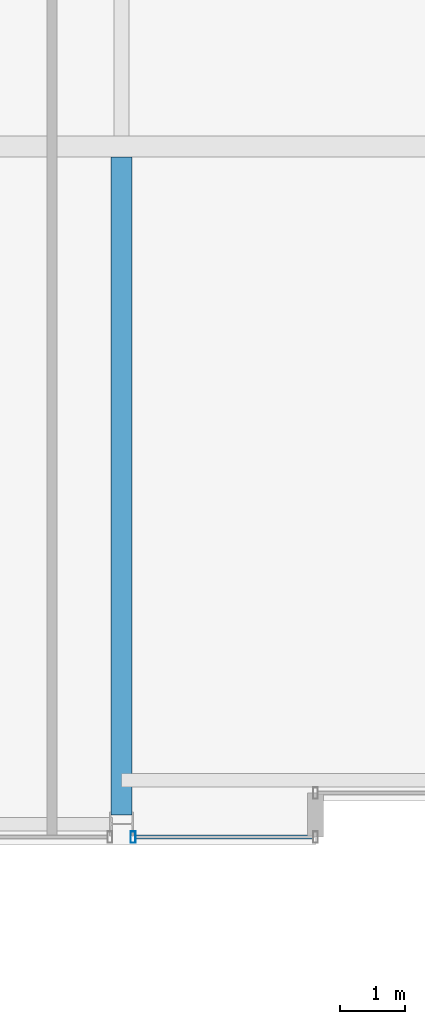
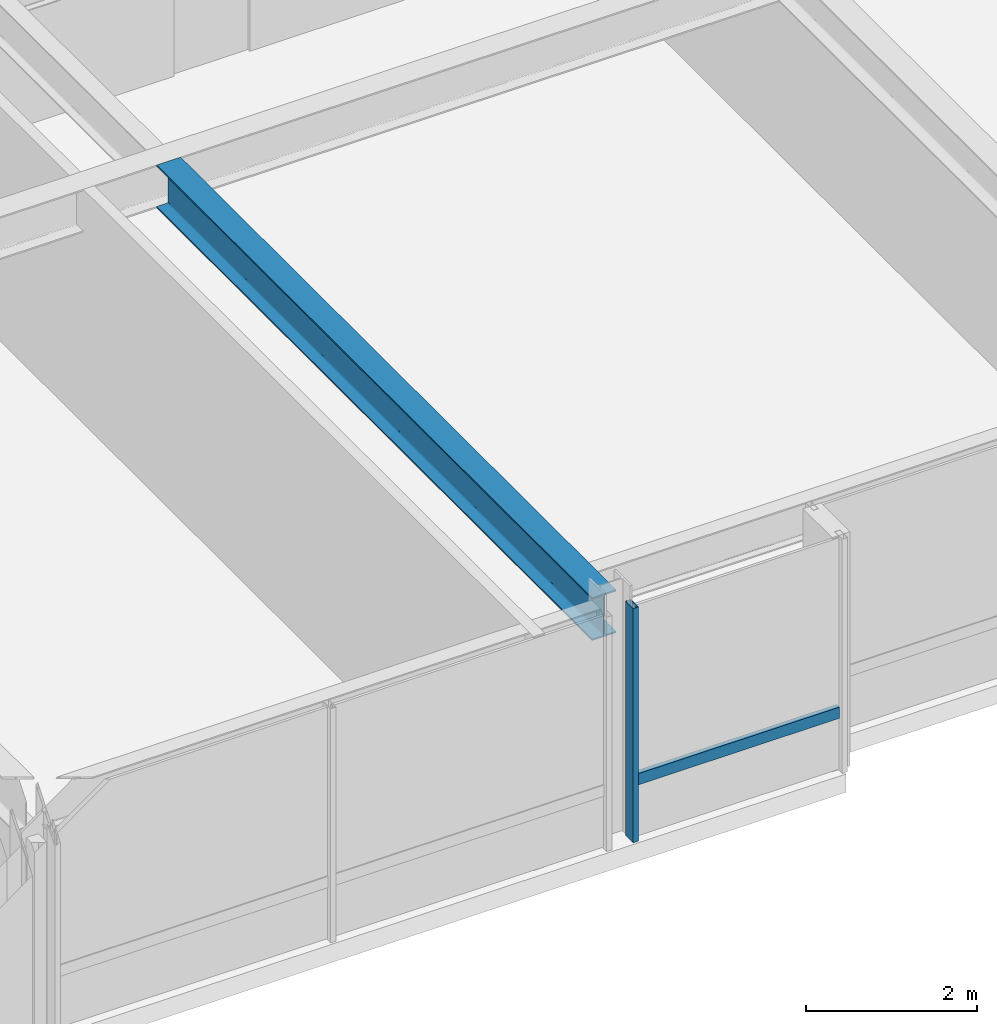
# One storey, part 4 of 32: 2 members, 1 beam, 1 element without a shape of its own.
"""IFC4 building model written with IfcOpenShell, lengths in metres."""

import ifcopenshell
import ifcopenshell.guid

model = None  # the IFC model being written
_history = None  # IfcOwnerHistory: only IFC2X3 demands one
_inside = {}  # id of a spatial element -> (the spatial element, [elements in it])
_under = {}  # id of a project, library or spatial element -> (it, [spatial elements below it])
_declared = {}  # id of a project -> (the project, [libraries it declares])
_typed = {}  # id of a type object -> (the type object, [elements of that type])
_made_of = {}  # id of a material, layer set ... -> (it, [elements and type objects made of it])


def new_model(schema):
    """Start an empty IFC model of exactly this schema.

    Asked for "IFC4X3", IfcOpenShell would pick the latest addendum, in which some entities
    have other attributes; the version numbers below select the first issue.
    IFC2X3 requires an IfcOwnerHistory on every rooted entity: one is made here for all.
    """
    global model, _history
    if schema == "IFC4X3":
        model = ifcopenshell.file(schema_version=(4, 3, 0, 0))
    else:
        model = ifcopenshell.file(schema=schema)
    _inside.clear()
    _under.clear()
    _declared.clear()
    _typed.clear()
    _made_of.clear()
    _history = None
    if model.schema == "IFC2X3":
        org = make("IfcOrganization", Name="unknown")
        user = make(
            "IfcPersonAndOrganization",
            ThePerson=make("IfcPerson", FamilyName="unknown"),
            TheOrganization=org,
        )
        app = make(
            "IfcApplication",
            ApplicationDeveloper=org,
            Version="unknown",
            ApplicationFullName="unknown",
            ApplicationIdentifier="unknown",
        )
        _history = make(
            "IfcOwnerHistory",
            OwningUser=user,
            OwningApplication=app,
            ChangeAction="ADDED",
            CreationDate=0,
        )
    return model


def make(cls, **values):
    """One entity of the class cls with the attributes given. An attribute that is None is left unset."""
    return model.create_entity(
        cls, **{name: value for name, value in values.items() if value is not None}
    )


def rooted(cls, **values):
    """An entity with a GlobalId (a new one), such as an element, a storey or a relation."""
    return make(cls, GlobalId=ifcopenshell.guid.new(), OwnerHistory=_history, **values)


def si_unit(unit_type, name, prefix=None):
    """IfcSIUnit, for example si_unit("LENGTHUNIT", "METRE", prefix="MILLI")."""
    return make("IfcSIUnit", UnitType=unit_type, Prefix=prefix, Name=name)


def assignment(units):
    """IfcUnitAssignment: the units of a project."""
    return None if units is None else make("IfcUnitAssignment", Units=units)


def point(xyz):
    """IfcCartesianPoint."""
    return None if xyz is None else make("IfcCartesianPoint", Coordinates=xyz)


def direction(xyz):
    """IfcDirection."""
    return None if xyz is None else make("IfcDirection", DirectionRatios=xyz)


def frame(location, z_axis=None, x_axis=None):
    """IfcAxis2Placement3D, a coordinate frame: its origin and axes. An axis left out is left unset."""
    return make(
        "IfcAxis2Placement3D",
        Location=point(location),
        Axis=direction(z_axis),
        RefDirection=direction(x_axis),
    )


def frame_2d(location, x_axis=None):
    """IfcAxis2Placement2D, a coordinate frame in the plane: its origin and x axis."""
    return make(
        "IfcAxis2Placement2D", Location=point(location), RefDirection=direction(x_axis)
    )


def origin():
    """The frame at (0, 0, 0) with its axes left unset."""
    return frame((0.0, 0.0, 0.0))


def origin_2d():
    """The frame at (0, 0) in the plane with its x axis left unset."""
    return frame_2d((0.0, 0.0))


def place(relative_to, where):
    """IfcLocalPlacement: puts the frame where relative to a parent placement (None: the world)."""
    return make(
        "IfcLocalPlacement", PlacementRelTo=relative_to, RelativePlacement=where
    )


def context(
    kind, dimensions, precision=None, world=None, true_north=None, identifier=None
):
    """IfcGeometricRepresentationContext, for example the 3D "Model" context."""
    return make(
        "IfcGeometricRepresentationContext",
        ContextIdentifier=identifier,
        ContextType=kind,
        CoordinateSpaceDimension=dimensions,
        Precision=precision,
        WorldCoordinateSystem=world,
        TrueNorth=true_north,
    )


def subcontext(parent, identifier, kind, view, scale=None):
    """IfcGeometricRepresentationSubContext, for example "Body" below "Model"."""
    return make(
        "IfcGeometricRepresentationSubContext",
        ContextIdentifier=identifier,
        ContextType=kind,
        ParentContext=parent,
        TargetScale=scale,
        TargetView=view,
    )


def project(units=None, contexts=None):
    """IfcProject with its units and contexts."""
    return rooted(
        "IfcProject",
        Name="project",
        RepresentationContexts=contexts,
        UnitsInContext=assignment(units),
    )


def spatial(cls, under=None, at=None, **own):
    """A site, building, storey or space (cls), placed at a placement, below another one or the project."""
    s = rooted(cls, ObjectPlacement=at, **own)
    if under is not None:
        _under.setdefault(under.id(), (under, []))[1].append(s)
    return s


def profile(cls, at=None, kind="AREA", **sizes):
    """A parametric profile (cls). Its sizes go by their IFC names, for example OverallWidth=200.0."""
    return make(cls, ProfileType=kind, Position=at, **sizes)


def hollow_rectangle(**sizes):
    """IfcRectangleHollowProfileDef."""
    return profile("IfcRectangleHollowProfileDef", **sizes)


def i_section(**sizes):
    """IfcIShapeProfileDef."""
    return profile("IfcIShapeProfileDef", **sizes)


def extrude(swept, where, along, depth):
    """IfcExtrudedAreaSolid: the profile swept, set in the frame where, extruded along a direction by depth."""
    return make(
        "IfcExtrudedAreaSolid",
        SweptArea=swept,
        Position=where,
        ExtrudedDirection=direction(along),
        Depth=depth,
    )


def shape(context_of_items, identifier, shape_type, items):
    """IfcShapeRepresentation: the items that make up one representation, for example the "Body"."""
    return make(
        "IfcShapeRepresentation",
        ContextOfItems=context_of_items,
        RepresentationIdentifier=identifier,
        RepresentationType=shape_type,
        Items=items,
    )


def material(Name=None, Category=None):
    """IfcMaterial."""
    return make("IfcMaterial", Name=Name, Category=Category)


def layer(
    of_material, thickness, ventilated=None, Name=None, Category=None, Priority=None
):
    """IfcMaterialLayer: one layer of a wall or slab, of a material (None: an air gap)."""
    return make(
        "IfcMaterialLayer",
        Material=of_material,
        LayerThickness=thickness,
        IsVentilated=ventilated,
        Name=Name,
        Category=Category,
        Priority=Priority,
    )


def layer_set(layers, Name=None):
    """IfcMaterialLayerSet."""
    return make("IfcMaterialLayerSet", MaterialLayers=layers, LayerSetName=Name)


def material_profile(
    of_material, cross_section, Name=None, Category=None, Priority=None
):
    """IfcMaterialProfile: a cross section and its material."""
    return make(
        "IfcMaterialProfile",
        Name=Name,
        Material=of_material,
        Profile=cross_section,
        Priority=Priority,
        Category=Category,
    )


def profile_set(profiles, Name=None, composite=None):
    """IfcMaterialProfileSet."""
    return make(
        "IfcMaterialProfileSet",
        Name=Name,
        MaterialProfiles=profiles,
        CompositeProfile=composite,
    )


def made_of(thing, what):
    """Note that an element or type object is made of a material, layer set ...; save() writes the relation."""
    if what is not None:
        _made_of.setdefault(what.id(), (what, []))[1].append(thing)
    return thing


def type_object(cls, material=None, **own):
    """A type object (cls), such as IfcWallType, which elements share."""
    return made_of(rooted(cls, **own), material)


def element(
    cls,
    number,
    at=None,
    inside=None,
    cuts=None,
    type_object=None,
    material=None,
    context=None,
    identifier="Body",
    shape_type=None,
    held_by="IfcProductDefinitionShape",
    body=None,
    shapes=None,
    **own,
):
    """One element of the class cls, such as IfcWall. Its Tag is "e" and its number.

    at: its placement. inside: the storey or other place that contains it. cuts: it is an
    opening in that element (IfcRelVoidsElement). A single representation is given by context,
    identifier, shape_type and body (its items); several are given by shapes. held_by: the class
    of the entity that holds the representations. save() writes the other relations.
    """
    e = rooted(cls, Tag="e%d" % number, ObjectPlacement=at, **own)
    if body is not None:
        shapes = [shape(context, identifier, shape_type, body)]
    if shapes is not None:
        e.Representation = make(held_by, Representations=shapes)
    if inside is not None:
        _inside.setdefault(inside.id(), (inside, []))[1].append(e)
    if cuts is not None:
        rooted(
            "IfcRelVoidsElement", RelatingBuildingElement=cuts, RelatedOpeningElement=e
        )
    if type_object is not None:
        _typed.setdefault(type_object.id(), (type_object, []))[1].append(e)
    return made_of(e, material)


def aggregate(whole, parts):
    """IfcRelAggregates: a whole, such as a stair, and the parts it consists of."""
    return rooted("IfcRelAggregates", RelatingObject=whole, RelatedObjects=parts)


def save(model, path):
    """Write the relations noted so far, then the file.

    IfcRelAggregates (storeys below a building ...), IfcRelContainedInSpatialStructure (elements
    in a storey), IfcRelDefinesByType, IfcRelAssociatesMaterial and IfcRelDeclares: one each for
    every whole, place, type object, material and project.
    """
    for whole, parts in _under.values():
        aggregate(whole, parts)
    for where, things in _inside.values():
        rooted(
            "IfcRelContainedInSpatialStructure",
            RelatedElements=things,
            RelatingStructure=where,
        )
    for kind, things in _typed.values():
        rooted("IfcRelDefinesByType", RelatedObjects=things, RelatingType=kind)
    for what, things in _made_of.values():
        rooted("IfcRelAssociatesMaterial", RelatedObjects=things, RelatingMaterial=what)
    for by, libraries in _declared.values():
        rooted("IfcRelDeclares", RelatingContext=by, RelatedDefinitions=libraries)
    model.write(path)


model = new_model("IFC4")

# Units and contexts
model_context = context("Model", 3, precision=1e-05, world=origin(), true_north=direction((0.0, 1.0)))
body_context = subcontext(model_context, "Body", "Model", "MODEL_VIEW")
ifc_project = project(units=[si_unit("LENGTHUNIT", "METRE"), si_unit("AREAUNIT", "SQUARE_METRE"), si_unit("VOLUMEUNIT", "CUBIC_METRE"), si_unit("PLANEANGLEUNIT", "RADIAN"), si_unit("MASSUNIT", "GRAM", prefix="KILO")], contexts=[model_context])

# Site, building, storey
site_placement = place(None, origin())
site = spatial("IfcSite", under=ifc_project, at=site_placement, CompositionType="ELEMENT")
building_placement = place(site_placement, origin())
building = spatial("IfcBuilding", under=site, at=building_placement, Name="Drelvath Grand Hotel", CompositionType="ELEMENT")
storey_placement = place(building_placement, frame((0.0, 0.0, 241.10009765625)))
storey = spatial("IfcBuildingStorey", under=building, at=storey_placement, Name="L63", CompositionType="ELEMENT", Elevation=241.10009765625)

# Curtain wall, members
ifc_material_1 = material(Name="Platinum-Mist Anodised Aluminium Frame", Category="aluminium")
ifc_layer = layer(ifc_material_1, 0.199951171875)
ifc_layer_set = layer_set([ifc_layer], Name="Platinum-Mist Anodised Aluminium Frame")
curtain_wall_type = type_object("IfcCurtainWallType", Name="Stick Curtain Wall CW-05 Platinum Mist High-Rise", PredefinedType="NOTDEFINED", material=ifc_layer_set)
curtain_wall_placement = place(storey_placement, origin())
curtain_wall = element("IfcCurtainWall", 1, at=curtain_wall_placement, inside=storey, type_object=curtain_wall_type, Name="L63 CW-05 Curtain Wall CW05-L63-SW3", PredefinedType="NOTDEFINED")
ifc_material_profile_1 = material_profile(ifc_material_1, hollow_rectangle(XDim=0.06494140625, YDim=0.159912109375, WallThickness=0.00390625, at=origin_2d()), Name="HSS160X65X4")
ifc_profile_set_1 = profile_set([ifc_material_profile_1], Name="Platinum-Mist Anodised Aluminium Frame")
member_type_1 = type_object("IfcMemberType", Name="Curtain Wall Horizontal Transom CW-05 HSS160X65X4", PredefinedType="USERDEFINED", material=ifc_profile_set_1)
member_1_placement = place(storey_placement, frame((-5.43994140625, 0.1201171875, 0.8349609375), z_axis=(-1.0, 0.0, 0.0), x_axis=(0.0, -1.0, 0.0)))
member_1 = element("IfcMember", 2, at=member_1_placement, type_object=member_type_1, Name="CW05-L63-SW3 Sill Transom", ObjectType="TRANSOM", PredefinedType="USERDEFINED", context=body_context, shape_type="SweptSolid", body=[
    extrude(hollow_rectangle(XDim=0.06494140625, YDim=0.159912109375, WallThickness=0.00390625, at=origin_2d()), origin(), (0.0, 0.0, 1.0), 2.741943359375),
])
ifc_material_profile_2 = material_profile(ifc_material_1, hollow_rectangle(XDim=0.074951171875, YDim=0.179931640625, WallThickness=0.0048828125, at=origin_2d()), Name="HSS180X75X5")
ifc_profile_set_2 = profile_set([ifc_material_profile_2], Name="Platinum-Mist Anodised Aluminium Frame")
member_type_2 = type_object("IfcMemberType", Name="Curtain Wall Vertical Mullion CW-05 HSS180X75X5", PredefinedType="MULLION", material=ifc_profile_set_2)
member_2_placement = place(storey_placement, frame((-8.2216796875, 0.1201171875, 0.0), z_axis=(0.0, 0.0, 1.0), x_axis=(1.0, 0.0, 0.0)))
member_2 = element("IfcMember", 3, at=member_2_placement, type_object=member_type_2, Name="CW05-L63-SW3 Mullion 2", PredefinedType="MULLION", context=body_context, shape_type="SweptSolid", body=[
    extrude(hollow_rectangle(XDim=0.074951171875, YDim=0.179931640625, WallThickness=0.0048828125, at=origin_2d()), origin(), (0.0, 0.0, 1.0), 3.33984375),
])
aggregate(curtain_wall, [member_2, member_1])

# Beam
ifc_material_2 = material(Name="Steel ASTM A992 Gr 50", Category="steel")
ifc_material_profile_3 = material_profile(ifc_material_2, i_section(OverallWidth=0.323974609375, OverallDepth=0.611083984375, WebThickness=0.0126953125, FlangeThickness=0.01904296875, FilletRadius=0.02197265625, at=origin_2d()), Name="W24X104")
ifc_profile_set_3 = profile_set([ifc_material_profile_3], Name="Steel ASTM A992 Gr 50")
beam_type = type_object("IfcBeamType", Name="Primary Floor Girder W24X104", PredefinedType="BEAM", material=ifc_profile_set_3)
beam_placement = place(storey_placement, frame((-8.39990234375, 0.4599609375, 3.034423828125), z_axis=(0.0, 1.0, 0.0), x_axis=(-1.0, 0.0, 0.0)))
element("IfcBeam", 4, at=beam_placement, inside=storey, type_object=beam_type, Name="L63 South Wing Girder 4", PredefinedType="BEAM", context=body_context, shape_type="SweptSolid", body=[
    extrude(i_section(OverallWidth=0.323974609375, OverallDepth=0.611083984375, WebThickness=0.0126953125, FlangeThickness=0.01904296875, FilletRadius=0.02197265625, at=origin_2d()), origin(), (0.0, 0.0, 1.0), 10.177978515625),
])

save(model, "model.ifc")
